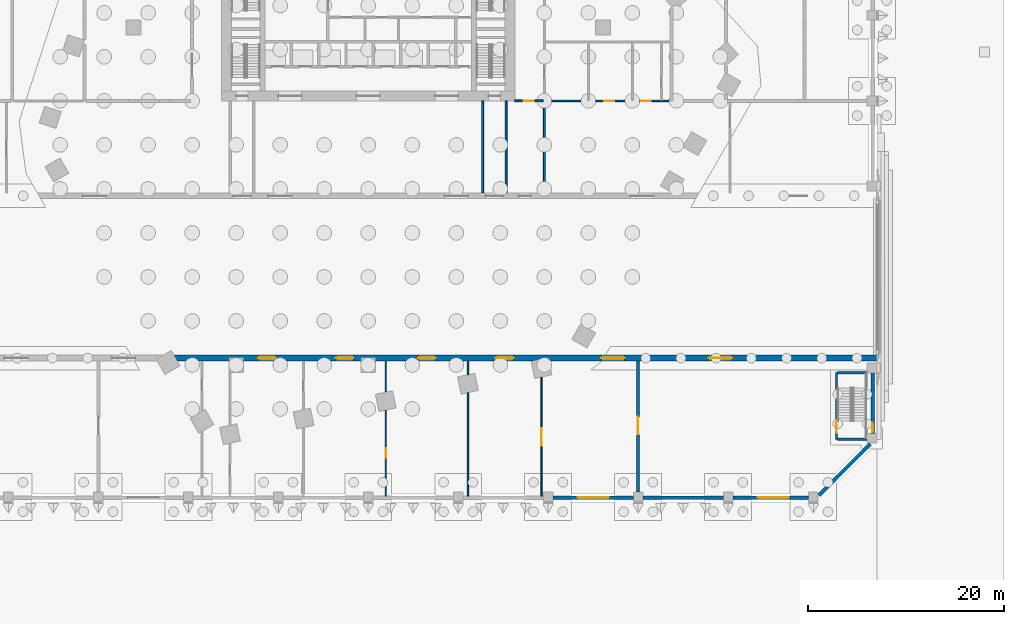
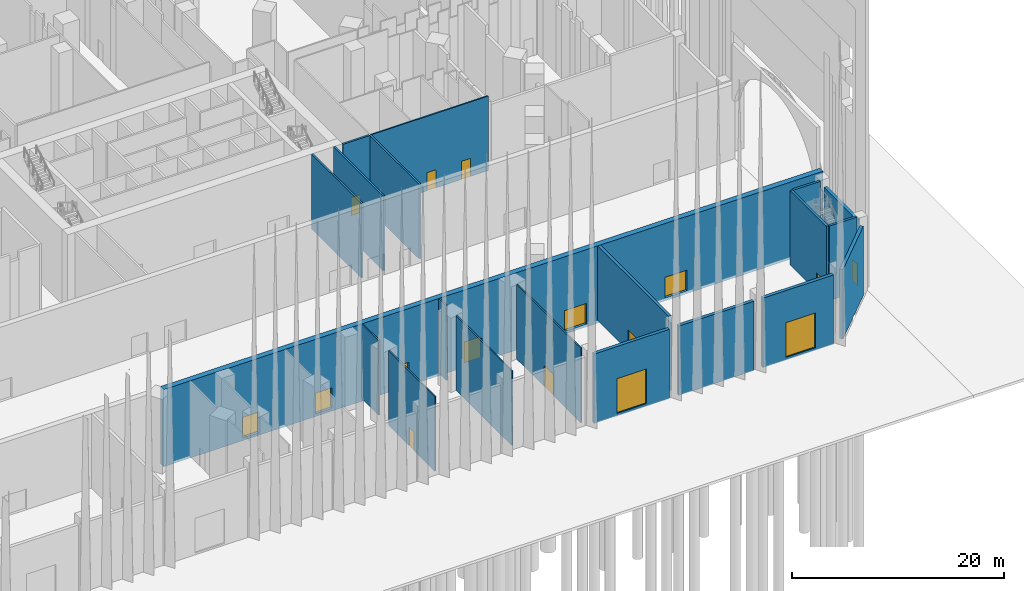
# One storey, part 11 of 32: 20 walls, 16 doors, 16 openings.
"""IFC4 building model written with IfcOpenShell, lengths in metres."""

from ifc_helpers import new_model, si_unit, direction, frame, frame_2d, origin, place, context, subcontext, project, spatial, rectangle, extrude, material, layer, layer_set, type_object, element, fill, save


model = new_model("IFC4")

# Units and contexts
model_context = context("Model", 3, precision=1e-05, world=origin(), true_north=direction((0.0, 1.0)))
body_context = subcontext(model_context, "Body", "Model", "MODEL_VIEW")
ifc_project = project(units=[si_unit("LENGTHUNIT", "METRE"), si_unit("AREAUNIT", "SQUARE_METRE"), si_unit("VOLUMEUNIT", "CUBIC_METRE"), si_unit("PLANEANGLEUNIT", "RADIAN"), si_unit("MASSUNIT", "GRAM", prefix="KILO")], contexts=[model_context])

# Site, building, storey
site_placement = place(None, origin())
site = spatial("IfcSite", under=ifc_project, at=site_placement, CompositionType="ELEMENT")
building_placement = place(site_placement, origin())
building = spatial("IfcBuilding", under=site, at=building_placement, Name="Isthmus Gate Tower", CompositionType="ELEMENT")
storey_placement = place(building_placement, origin())
storey = spatial("IfcBuildingStorey", under=building, at=storey_placement, Name="L00", CompositionType="ELEMENT", Elevation=0.0)

# Wall, opening, door
ifc_material_1 = material(Name="Double-leaf gypsum board with mineral wool, resilient mounted")
ifc_layer_1 = layer(ifc_material_1, 0.300048828125)
ifc_layer_set_1 = layer_set([ifc_layer_1], Name="Acoustic studio wall 300 double leaf")
wall_type_1 = type_object("IfcWallType", Name="Acoustic studio wall 300 double leaf", PredefinedType="PARTITIONING", material=ifc_layer_set_1)
wall_1_placement = place(storey_placement, frame((27.60009765625, -40.0, 0.0), z_axis=(0.0, 0.0, 1.0), x_axis=(0.0, 1.0, 0.0)))
wall_1 = element("IfcWall", 1, at=wall_1_placement, inside=storey, type_object=wall_type_1, Name="Acoustic studio wall", PredefinedType="PARTITIONING", context=body_context, shape_type="SweptSolid", body=[
    extrude(rectangle(XDim=13.39990234375, YDim=0.300048828125, at=frame_2d((6.699951171875, 0.0))), origin(), (0.0, 0.0, 1.0), 8.60009765625),
])
opening_1_placement = place(wall_1_placement, frame((5.89990234375, 0.0, 0.0)))
opening_1 = element("IfcOpeningElement", 2, at=opening_1_placement, cuts=wall_1, Name="Opening DP00-11", PredefinedType="OPENING", context=body_context, shape_type="SweptSolid", body=[
    extrude(rectangle(XDim=1.800048828125, YDim=2.39990234375, at=frame_2d((0.89990234375, 1.199951171875))), frame((0.0, 0.159912109375, 0.0), z_axis=(0.0, -1.0, 0.0), x_axis=(1.0, 0.0, 0.0)), (0.0, 0.0, 1.0), 0.320068359375),
])
ifc_material_2 = material(Name="Hollow metal frame with solid-core timber leaves", Category="wood")
door_type_1 = type_object("IfcDoorType", Name="Double swing door 1800 x 2400", OperationType="DOUBLE_DOOR_SINGLE_SWING", PredefinedType="DOOR", material=ifc_material_2)
door_1_placement = place(opening_1_placement, origin())
door_1 = element("IfcDoor", 3, at=door_1_placement, inside=storey, type_object=door_type_1, Name="Door DP00-11", OperationType="SINGLE_SWING_LEFT", OverallHeight=2.39990234375, OverallWidth=1.800048828125, PredefinedType="DOOR", context=body_context, shape_type="SweptSolid", body=[
    extrude(rectangle(XDim=1.800048828125, YDim=2.39990234375, at=frame_2d((0.89990234375, 1.199951171875))), frame((0.0, 0.02490234375, 0.0), z_axis=(0.0, -1.0, 0.0), x_axis=(1.0, 0.0, 0.0)), (0.0, 0.0, 1.0), 0.050048828125),
])
fill(opening_1, door_1)

ifc_material_3 = material(Name="Concrete f'c 30 MPa", Category="concrete")
ifc_layer_2 = layer(ifc_material_3, 0.199951171875)
ifc_layer_set_2 = layer_set([ifc_layer_2], Name="Fire-rated block wall 200")
wall_type_2 = type_object("IfcWallType", Name="Fire-rated block wall 200", PredefinedType="PARTITIONING", material=ifc_layer_set_2)
wall_2_placement = place(storey_placement, frame((15.0, 0.0, 0.0), z_axis=(0.0, 0.0, 1.0), x_axis=(1.0, 0.0, 0.0)))
wall_2 = element("IfcWall", 4, at=wall_2_placement, inside=storey, type_object=wall_type_2, Name="Fire-rated wall", PredefinedType="PARTITIONING", context=body_context, shape_type="SweptSolid", body=[
    extrude(rectangle(XDim=2.89990234375, YDim=0.199951171875, at=frame_2d((1.449951171875, 0.0))), origin(), (0.0, 0.0, 1.0), 8.60009765625),
])
opening_2_placement = place(wall_2_placement, frame((0.89990234375, 0.0, 0.0)))
opening_2 = element("IfcOpeningElement", 5, at=opening_2_placement, cuts=wall_2, Name="Opening DP00-12", PredefinedType="OPENING", context=body_context, shape_type="SweptSolid", body=[
    extrude(rectangle(XDim=1.0, YDim=2.10009765625, at=frame_2d((0.5, 1.050048828125))), frame((0.0, 0.10986328125, 0.0), z_axis=(0.0, -1.0, 0.0), x_axis=(1.0, 0.0, 0.0)), (0.0, 0.0, 1.0), 0.219970703125),
])
ifc_material_4 = material(Name="Steel fire door with intumescent seals", Category="steel")
door_type_2 = type_object("IfcDoorType", Name="Fire door 1000 x 2100", OperationType="SINGLE_SWING_LEFT", PredefinedType="DOOR", material=ifc_material_4)
door_2_placement = place(opening_2_placement, origin())
door_2 = element("IfcDoor", 6, at=door_2_placement, inside=storey, type_object=door_type_2, Name="Door DP00-12", OperationType="SINGLE_SWING_LEFT", OverallHeight=2.10009765625, OverallWidth=1.0, PredefinedType="DOOR", context=body_context, shape_type="SweptSolid", body=[
    extrude(rectangle(XDim=1.0, YDim=2.10009765625, at=frame_2d((0.5, 1.050048828125))), frame((0.0, 0.02490234375, 0.0), z_axis=(0.0, -1.0, 0.0), x_axis=(1.0, 0.0, 0.0)), (0.0, 0.0, 1.0), 0.050048828125),
])
fill(opening_2, door_2)

# Walls
for number, where, z_axis, x_axis, name in (
    (7, (11.699951171875, -9.39990234375, 0.0), (0.0, 0.0, 1.0), (0.0, 1.0, 0.0), "Fire-rated wall"),
    (8, (14.10009765625, -9.39990234375, 0.0), (0.0, 0.0, 1.0), (0.0, 1.0, 0.0), "Fire-rated wall"),
    (9, (18.0, -9.39990234375, 0.0), (0.0, 0.0, 1.0), (0.0, 1.0, 0.0), "Fire-rated wall"),
):
    element("IfcWall", number, at=place(storey_placement, frame(where, z_axis=z_axis, x_axis=x_axis)), inside=storey, type_object=wall_type_2, Name=name, PredefinedType="PARTITIONING", context=body_context, shape_type="SweptSolid", body=[
        extrude(rectangle(XDim=9.39990234375, YDim=0.199951171875, at=frame_2d((4.699951171875, 0.0))), origin(), (0.0, 0.0, 1.0), 8.60009765625),
    ])

# Wall, opening, door
ifc_material_5 = material(Name="Precast concrete C40/50, limestone-faced", Category="masonry")
ifc_layer_3 = layer(ifc_material_5, 0.35009765625)
ifc_layer_set_3 = layer_set([ifc_layer_3], Name="PODIUM CLADDING WALL 350")
wall_type_3 = type_object("IfcWallType", Name="PODIUM CLADDING WALL 350", PredefinedType="SOLIDWALL", material=ifc_layer_set_3)
wall_3_placement = place(storey_placement, frame((18.89990234375, -40.574951171875, -0.300048828125), z_axis=(0.0, 0.0, 1.0), x_axis=(1.0, 0.0, 0.0)))
wall_3 = element("IfcWall", 10, at=wall_3_placement, inside=storey, type_object=wall_type_3, Name="PODIUM WALL", PredefinedType="SOLIDWALL", context=body_context, shape_type="SweptSolid", body=[
    extrude(rectangle(XDim=8.2001953125, YDim=0.35009765625, at=frame_2d((4.10009765625, 0.0))), origin(), (0.0, 0.0, 1.0), 8.0),
])
opening_3_placement = place(wall_3_placement, frame((2.5, 0.0, 0.300048828125)))
opening_3 = element("IfcOpeningElement", 11, at=opening_3_placement, cuts=wall_3, Name="Opening DE00-04", PredefinedType="OPENING", context=body_context, shape_type="SweptSolid", body=[
    extrude(rectangle(XDim=3.199951171875, YDim=4.0, at=frame_2d((1.60009765625, 2.0))), frame((0.0, 0.18505859375, 0.0), z_axis=(0.0, -1.0, 0.0), x_axis=(1.0, 0.0, 0.0)), (0.0, 0.0, 1.0), 0.3701171875),
])
ifc_material_6 = material(Name="Aluminium and laminated glass", Category="aluminium")
door_type_3 = type_object("IfcDoorType", Name="ENTRANCE DOUBLE SWING DOOR 3200 X 4000", OperationType="DOUBLE_DOOR_SINGLE_SWING", PredefinedType="DOOR", material=ifc_material_6)
door_3_placement = place(opening_3_placement, origin())
door_3 = element("IfcDoor", 12, at=door_3_placement, inside=storey, type_object=door_type_3, Name="DOOR DE00-04", OperationType="DOUBLE_DOOR_SINGLE_SWING", OverallHeight=4.0, OverallWidth=3.199951171875, PredefinedType="DOOR", context=body_context, shape_type="SweptSolid", body=[
    extrude(rectangle(XDim=3.199951171875, YDim=4.0, at=frame_2d((1.60009765625, 2.0))), frame((0.0, 0.02490234375, 0.0), z_axis=(0.0, -1.0, 0.0), x_axis=(1.0, 0.0, 0.0)), (0.0, 0.0, 1.0), 0.050048828125),
])
fill(opening_3, door_3)

# Wall
wall_4_placement = place(storey_placement, frame((28.10009765625, -40.574951171875, -0.300048828125), z_axis=(0.0, 0.0, 1.0), x_axis=(1.0, 0.0, 0.0)))
element("IfcWall", 13, at=wall_4_placement, inside=storey, type_object=wall_type_3, Name="PODIUM WALL", PredefinedType="SOLIDWALL", context=body_context, shape_type="SweptSolid", body=[
    extrude(rectangle(XDim=8.199951171875, YDim=0.35009765625, at=frame_2d((4.10009765625, 0.0))), origin(), (0.0, 0.0, 1.0), 8.0),
])

# Wall, opening, door
wall_5_placement = place(storey_placement, frame((37.300048828125, -40.574951171875, -0.300048828125), z_axis=(0.0, 0.0, 1.0), x_axis=(1.0, 0.0, 0.0)))
wall_5 = element("IfcWall", 14, at=wall_5_placement, inside=storey, type_object=wall_type_3, Name="PODIUM WALL", PredefinedType="SOLIDWALL", context=body_context, shape_type="SweptSolid", body=[
    extrude(rectangle(XDim=7.699951171875, YDim=0.35009765625, at=frame_2d((3.85009765625, 0.0))), origin(), (0.0, 0.0, 1.0), 8.0),
])
opening_4_placement = place(wall_5_placement, frame((2.5, 0.0, 0.300048828125)))
opening_4 = element("IfcOpeningElement", 15, at=opening_4_placement, cuts=wall_5, Name="Opening DE00-02", PredefinedType="OPENING", context=body_context, shape_type="SweptSolid", body=[
    extrude(rectangle(XDim=3.199951171875, YDim=4.0, at=frame_2d((1.60009765625, 2.0))), frame((0.0, 0.18505859375, 0.0), z_axis=(0.0, -1.0, 0.0), x_axis=(1.0, 0.0, 0.0)), (0.0, 0.0, 1.0), 0.3701171875),
])
door_4_placement = place(opening_4_placement, origin())
door_4 = element("IfcDoor", 16, at=door_4_placement, inside=storey, type_object=door_type_3, Name="DOOR DE00-02", OperationType="DOUBLE_DOOR_SINGLE_SWING", OverallHeight=4.0, OverallWidth=3.199951171875, PredefinedType="DOOR", context=body_context, shape_type="SweptSolid", body=[
    extrude(rectangle(XDim=3.199951171875, YDim=4.0, at=frame_2d((1.60009765625, 2.0))), frame((0.0, 0.02490234375, 0.0), z_axis=(0.0, -1.0, 0.0), x_axis=(1.0, 0.0, 0.0)), (0.0, 0.0, 1.0), 0.050048828125),
])
fill(opening_4, door_4)

# Wall
wall_6_placement = place(storey_placement, frame((46.071533203125, -40.327392578125, -0.300048828125), z_axis=(0.0, 0.0, 1.0), x_axis=(0.707106781187, 0.707106781187, 0.0)))
element("IfcWall", 17, at=wall_6_placement, inside=storey, type_object=wall_type_3, Name="PODIUM WALL", PredefinedType="SOLIDWALL", context=body_context, shape_type="SweptSolid", body=[
    extrude(rectangle(XDim=7.432861328125, YDim=0.35009765625, at=frame_2d((3.71630859375, 0.0))), origin(), (0.0, 0.0, 1.0), 8.0),
])

# Wall, opening, door
wall_7_placement = place(storey_placement, frame((51.574951171875, -34.0, -0.300048828125), z_axis=(0.0, 0.0, 1.0), x_axis=(0.0, 1.0, 0.0)))
wall_7 = element("IfcWall", 18, at=wall_7_placement, inside=storey, type_object=wall_type_3, Name="PODIUM WALL", PredefinedType="SOLIDWALL", context=body_context, shape_type="SweptSolid", body=[
    extrude(rectangle(XDim=6.199951171875, YDim=0.35009765625, at=frame_2d((3.10009765625, 0.0))), origin(), (0.0, 0.0, 1.0), 8.0),
])
opening_5_placement = place(wall_7_placement, frame((0.10009765625, 0.0, 0.300048828125)))
opening_5 = element("IfcOpeningElement", 19, at=opening_5_placement, cuts=wall_7, Name="Opening DE00-12", PredefinedType="OPENING", context=body_context, shape_type="SweptSolid", body=[
    extrude(rectangle(XDim=1.0, YDim=2.39990234375, at=frame_2d((0.5, 1.199951171875))), frame((0.0, 0.18505859375, 0.0), z_axis=(0.0, -1.0, 0.0), x_axis=(1.0, 0.0, 0.0)), (0.0, 0.0, 1.0), 0.3701171875),
])
ifc_material_7 = material(Name="Galvanised steel, powder-coated", Category="steel")
door_type_4 = type_object("IfcDoorType", Name="STAIR EXIT FIRE DOOR 1000 X 2400", OperationType="SINGLE_SWING_LEFT", PredefinedType="DOOR", material=ifc_material_7)
door_5_placement = place(opening_5_placement, frame((1.0, 0.0, 0.0), z_axis=(0.0, 0.0, 1.0), x_axis=(-1.0, 0.0, 0.0)))
door_5 = element("IfcDoor", 20, at=door_5_placement, inside=storey, type_object=door_type_4, Name="DOOR DE00-12", OperationType="SINGLE_SWING_LEFT", OverallHeight=2.39990234375, OverallWidth=1.0, PredefinedType="DOOR", context=body_context, shape_type="SweptSolid", body=[
    extrude(rectangle(XDim=1.0, YDim=2.39990234375, at=frame_2d((0.5, 1.199951171875))), frame((0.0, 0.02490234375, 0.0), z_axis=(0.0, -1.0, 0.0), x_axis=(1.0, 0.0, 0.0)), (0.0, 0.0, 1.0), 0.050048828125),
])
fill(opening_5, door_5)

# Wall, openings, doors
ifc_material_8 = material(Name="Gypsum board on cold-formed steel studs", Category="steel")
ifc_layer_4 = layer(ifc_material_8, 0.14990234375)
ifc_layer_set_4 = layer_set([ifc_layer_4])
wall_type_4 = type_object("IfcWallType", Name="Partition 150 gypsum board on steel studs", PredefinedType="PARTITIONING", material=ifc_layer_set_4)
wall_8_placement = place(storey_placement, frame((18.10009765625, 0.0, 0.0), z_axis=(0.0, 0.0, 1.0), x_axis=(1.0, 0.0, 0.0)))
wall_8 = element("IfcWall", 21, at=wall_8_placement, inside=storey, type_object=wall_type_4, Name="Partition", PredefinedType="PARTITIONING", context=body_context, shape_type="SweptSolid", body=[
    extrude(rectangle(XDim=12.75, YDim=0.14990234375, at=frame_2d((6.375, 0.0))), origin(), (0.0, 0.0, 1.0), 8.60009765625),
])
opening_6_placement = place(wall_8_placement, frame((6.050048828125, 0.0, 0.0)))
opening_6 = element("IfcOpeningElement", 22, at=opening_6_placement, cuts=wall_8, Name="Opening DP00-23", PredefinedType="OPENING", context=body_context, shape_type="SweptSolid", body=[
    extrude(rectangle(XDim=1.0, YDim=2.10009765625, at=frame_2d((0.5, 1.050048828125))), frame((0.0, 0.0849609375, 0.0), z_axis=(0.0, -1.0, 0.0), x_axis=(1.0, 0.0, 0.0)), (0.0, 0.0, 1.0), 0.169921875),
])
opening_7_placement = place(wall_8_placement, frame((9.800048828125, 0.0, 0.0)))
opening_7 = element("IfcOpeningElement", 23, at=opening_7_placement, cuts=wall_8, Name="Opening DP00-24", PredefinedType="OPENING", context=body_context, shape_type="SweptSolid", body=[
    extrude(rectangle(XDim=1.0, YDim=2.10009765625, at=frame_2d((0.5, 1.050048828125))), frame((0.0, 0.0849609375, 0.0), z_axis=(0.0, -1.0, 0.0), x_axis=(1.0, 0.0, 0.0)), (0.0, 0.0, 1.0), 0.169921875),
])
ifc_material_9 = material(Name="Hollow metal frame with solid-core timber leaf", Category="wood")
door_type_5 = type_object("IfcDoorType", Name="Single swing door 1000 x 2100", OperationType="SINGLE_SWING_LEFT", PredefinedType="DOOR", material=ifc_material_9)
door_6_placement = place(opening_6_placement, origin())
door_6 = element("IfcDoor", 24, at=door_6_placement, inside=storey, type_object=door_type_5, Name="Door DP00-23", OperationType="SINGLE_SWING_LEFT", OverallHeight=2.10009765625, OverallWidth=1.0, PredefinedType="DOOR", context=body_context, shape_type="SweptSolid", body=[
    extrude(rectangle(XDim=1.0, YDim=2.10009765625, at=frame_2d((0.5, 1.050048828125))), frame((0.0, 0.02490234375, 0.0), z_axis=(0.0, -1.0, 0.0), x_axis=(1.0, 0.0, 0.0)), (0.0, 0.0, 1.0), 0.050048828125),
])
fill(opening_6, door_6)
door_7_placement = place(opening_7_placement, origin())
door_7 = element("IfcDoor", 25, at=door_7_placement, inside=storey, type_object=door_type_5, Name="Door DP00-24", OperationType="SINGLE_SWING_LEFT", OverallHeight=2.10009765625, OverallWidth=1.0, PredefinedType="DOOR", context=body_context, shape_type="SweptSolid", body=[
    extrude(rectangle(XDim=1.0, YDim=2.10009765625, at=frame_2d((0.5, 1.050048828125))), frame((0.0, 0.02490234375, 0.0), z_axis=(0.0, -1.0, 0.0), x_axis=(1.0, 0.0, 0.0)), (0.0, 0.0, 1.0), 0.050048828125),
])
fill(opening_7, door_7)

# Wall, opening, door
wall_9_placement = place(storey_placement, frame((1.791015625, -40.39990234375, 0.0), z_axis=(0.0, 0.0, 1.0), x_axis=(0.0, 1.0, 0.0)))
wall_9 = element("IfcWall", 26, at=wall_9_placement, inside=storey, type_object=wall_type_4, Name="Partition", PredefinedType="PARTITIONING", context=body_context, shape_type="SweptSolid", body=[
    extrude(rectangle(XDim=8.7646484375, YDim=0.14990234375, at=frame_2d((4.38232421875, 0.0))), origin(), (0.0, 0.0, 1.0), 8.60009765625),
])
opening_8_placement = place(wall_9_placement, frame((3.89990234375, 0.0, 0.0)))
opening_8 = element("IfcOpeningElement", 27, at=opening_8_placement, cuts=wall_9, Name="Opening DP00-40", PredefinedType="OPENING", context=body_context, shape_type="SweptSolid", body=[
    extrude(rectangle(XDim=1.0, YDim=2.10009765625, at=frame_2d((0.5, 1.050048828125))), frame((0.0, 0.0849609375, 0.0), z_axis=(0.0, -1.0, 0.0), x_axis=(1.0, 0.0, 0.0)), (0.0, 0.0, 1.0), 0.169921875),
])
door_8_placement = place(opening_8_placement, origin())
door_8 = element("IfcDoor", 28, at=door_8_placement, inside=storey, type_object=door_type_5, Name="Door DP00-40", OperationType="SINGLE_SWING_LEFT", OverallHeight=2.10009765625, OverallWidth=1.0, PredefinedType="DOOR", context=body_context, shape_type="SweptSolid", body=[
    extrude(rectangle(XDim=1.0, YDim=2.10009765625, at=frame_2d((0.5, 1.050048828125))), frame((0.0, 0.02490234375, 0.0), z_axis=(0.0, -1.0, 0.0), x_axis=(1.0, 0.0, 0.0)), (0.0, 0.0, 1.0), 0.050048828125),
])
fill(opening_8, door_8)

# Walls
wall_10_placement = place(storey_placement, frame((1.791015625, -29.76318359375, 0.0), z_axis=(0.0, 0.0, 1.0), x_axis=(0.0, 1.0, 0.0)))
element("IfcWall", 29, at=wall_10_placement, inside=storey, type_object=wall_type_4, Name="Partition", PredefinedType="PARTITIONING", context=body_context, shape_type="SweptSolid", body=[
    extrude(rectangle(XDim=3.1630859375, YDim=0.14990234375, at=frame_2d((1.58154296875, 0.0))), origin(), (0.0, 0.0, 1.0), 8.60009765625),
])
wall_11_placement = place(storey_placement, frame((10.19189453125, -40.39990234375, 0.0), z_axis=(0.0, 0.0, 1.0), x_axis=(0.0, 1.0, 0.0)))
element("IfcWall", 30, at=wall_11_placement, inside=storey, type_object=wall_type_4, Name="Partition", PredefinedType="PARTITIONING", context=body_context, shape_type="SweptSolid", body=[
    extrude(rectangle(XDim=10.55029296875, YDim=0.14990234375, at=frame_2d((5.275146484375, 0.0))), origin(), (0.0, 0.0, 1.0), 8.60009765625),
])
wall_12_placement = place(storey_placement, frame((10.19189453125, -27.9775390625, 0.0), z_axis=(0.0, 0.0, 1.0), x_axis=(0.0, 1.0, 0.0)))
element("IfcWall", 31, at=wall_12_placement, inside=storey, type_object=wall_type_4, Name="Partition", PredefinedType="PARTITIONING", context=body_context, shape_type="SweptSolid", body=[
    extrude(rectangle(XDim=1.37744140625, YDim=0.14990234375, at=frame_2d((0.688720703125, 0.0))), origin(), (0.0, 0.0, 1.0), 8.60009765625),
])

# Wall, opening, door
wall_13_placement = place(storey_placement, frame((17.714111328125, -40.39990234375, 0.0), z_axis=(0.0, 0.0, 1.0), x_axis=(0.0, 1.0, 0.0)))
wall_13 = element("IfcWall", 32, at=wall_13_placement, inside=storey, type_object=wall_type_4, Name="Partition", PredefinedType="PARTITIONING", context=body_context, shape_type="SweptSolid", body=[
    extrude(rectangle(XDim=12.149169921875, YDim=0.14990234375, at=frame_2d((6.07470703125, 0.0))), origin(), (0.0, 0.0, 1.0), 8.60009765625),
])
opening_9_placement = place(wall_13_placement, frame((5.14990234375, 0.0, 0.0)))
opening_9 = element("IfcOpeningElement", 33, at=opening_9_placement, cuts=wall_13, Name="Opening DP00-14", PredefinedType="OPENING", context=body_context, shape_type="SweptSolid", body=[
    extrude(rectangle(XDim=1.800048828125, YDim=2.39990234375, at=frame_2d((0.89990234375, 1.199951171875))), frame((0.0, 0.0849609375, 0.0), z_axis=(0.0, -1.0, 0.0), x_axis=(1.0, 0.0, 0.0)), (0.0, 0.0, 1.0), 0.169921875),
])
ifc_material_10 = material(Name="Hollow metal frame with solid-core timber leaf", Category="wood")
door_type_6 = type_object("IfcDoorType", Name="Single swing door 1800 x 2400", OperationType="SINGLE_SWING_LEFT", PredefinedType="DOOR", material=ifc_material_10)
door_9_placement = place(opening_9_placement, origin())
door_9 = element("IfcDoor", 34, at=door_9_placement, inside=storey, type_object=door_type_6, Name="Door DP00-14", OperationType="SINGLE_SWING_LEFT", OverallHeight=2.39990234375, OverallWidth=1.800048828125, PredefinedType="DOOR", context=body_context, shape_type="SweptSolid", body=[
    extrude(rectangle(XDim=1.800048828125, YDim=2.39990234375, at=frame_2d((0.89990234375, 1.199951171875))), frame((0.0, 0.02490234375, 0.0), z_axis=(0.0, -1.0, 0.0), x_axis=(1.0, 0.0, 0.0)), (0.0, 0.0, 1.0), 0.050048828125),
])
fill(opening_9, door_9)

# Wall, openings, doors
ifc_material_11 = material(Name="Concrete f'c 70 MPa", Category="concrete")
ifc_layer_5 = layer(ifc_material_11, 0.60009765625)
ifc_layer_set_5 = layer_set([ifc_layer_5], Name="RC PASSAGE WALL 600 F'C 70")
wall_type_5 = type_object("IfcWallType", Name="RC PASSAGE WALL 600 F'C 70", PredefinedType="SOLIDWALL", material=ifc_layer_set_5)
wall_14_placement = place(storey_placement, frame((-19.86083984375, -26.300048828125, -0.300048828125), z_axis=(0.0, 0.0, 1.0), x_axis=(1.0, 0.0, 0.0)))
wall_14 = element("IfcWall", 35, at=wall_14_placement, inside=storey, type_object=wall_type_5, Name="str-passwall-S-L00-2", PredefinedType="SOLIDWALL", context=body_context, shape_type="SweptSolid", body=[
    extrude(rectangle(XDim=71.86083984375, YDim=0.60009765625, at=frame_2d((35.930419921875, 0.0))), origin(), (0.0, 0.0, 1.0), 8.900146484375),
])
opening_10_placement = place(wall_14_placement, frame((54.660888671875, 0.0, 0.300048828125)))
opening_10 = element("IfcOpeningElement", 36, at=opening_10_placement, cuts=wall_14, Name="Opening DP00-43", PredefinedType="OPENING", context=body_context, shape_type="SweptSolid", body=[
    extrude(rectangle(XDim=2.39990234375, YDim=2.39990234375, at=frame_2d((1.199951171875, 1.199951171875))), frame((0.0, 0.31005859375, 0.0), z_axis=(0.0, -1.0, 0.0), x_axis=(1.0, 0.0, 0.0)), (0.0, 0.0, 1.0), 0.6201171875),
])
opening_11_placement = place(wall_14_placement, frame((8.58935546875, 0.0, 0.300048828125)))
opening_11 = element("IfcOpeningElement", 37, at=opening_11_placement, cuts=wall_14, Name="Opening DP00-44", PredefinedType="OPENING", context=body_context, shape_type="SweptSolid", body=[
    extrude(rectangle(XDim=1.800048828125, YDim=2.39990234375, at=frame_2d((0.89990234375, 1.199951171875))), frame((0.0, 0.31005859375, 0.0), z_axis=(0.0, -1.0, 0.0), x_axis=(1.0, 0.0, 0.0)), (0.0, 0.0, 1.0), 0.6201171875),
])
opening_12_placement = place(wall_14_placement, frame((16.55078125, 0.0, 0.300048828125)))
opening_12 = element("IfcOpeningElement", 38, at=opening_12_placement, cuts=wall_14, Name="Opening DP00-45", PredefinedType="OPENING", context=body_context, shape_type="SweptSolid", body=[
    extrude(rectangle(XDim=1.800048828125, YDim=2.39990234375, at=frame_2d((0.89990234375, 1.199951171875))), frame((0.0, 0.31005859375, 0.0), z_axis=(0.0, -1.0, 0.0), x_axis=(1.0, 0.0, 0.0)), (0.0, 0.0, 1.0), 0.6201171875),
])
opening_13_placement = place(wall_14_placement, frame((24.952392578125, 0.0, 0.300048828125)))
opening_13 = element("IfcOpeningElement", 39, at=opening_13_placement, cuts=wall_14, Name="Opening DP00-46", PredefinedType="OPENING", context=body_context, shape_type="SweptSolid", body=[
    extrude(rectangle(XDim=1.800048828125, YDim=2.39990234375, at=frame_2d((0.89990234375, 1.199951171875))), frame((0.0, 0.31005859375, 0.0), z_axis=(0.0, -1.0, 0.0), x_axis=(1.0, 0.0, 0.0)), (0.0, 0.0, 1.0), 0.6201171875),
])
opening_14_placement = place(wall_14_placement, frame((32.913818359375, 0.0, 0.300048828125)))
opening_14 = element("IfcOpeningElement", 40, at=opening_14_placement, cuts=wall_14, Name="Opening DP00-47", PredefinedType="OPENING", context=body_context, shape_type="SweptSolid", body=[
    extrude(rectangle(XDim=1.800048828125, YDim=2.39990234375, at=frame_2d((0.89990234375, 1.199951171875))), frame((0.0, 0.31005859375, 0.0), z_axis=(0.0, -1.0, 0.0), x_axis=(1.0, 0.0, 0.0)), (0.0, 0.0, 1.0), 0.6201171875),
])
opening_15_placement = place(wall_14_placement, frame((43.660888671875, 0.0, 0.300048828125)))
opening_15 = element("IfcOpeningElement", 41, at=opening_15_placement, cuts=wall_14, Name="Opening DP00-49", PredefinedType="OPENING", context=body_context, shape_type="SweptSolid", body=[
    extrude(rectangle(XDim=2.39990234375, YDim=2.39990234375, at=frame_2d((1.199951171875, 1.199951171875))), frame((0.0, 0.31005859375, 0.0), z_axis=(0.0, -1.0, 0.0), x_axis=(1.0, 0.0, 0.0)), (0.0, 0.0, 1.0), 0.6201171875),
])
ifc_material_12 = material(Name="Hollow metal frame with solid-core timber leaves", Category="wood")
door_type_7 = type_object("IfcDoorType", Name="Double swing door 2400 x 2400", OperationType="DOUBLE_DOOR_SINGLE_SWING", PredefinedType="DOOR", material=ifc_material_12)
door_10_placement = place(opening_10_placement, origin())
door_10 = element("IfcDoor", 42, at=door_10_placement, inside=storey, type_object=door_type_7, Name="Door DP00-43", OperationType="SINGLE_SWING_LEFT", OverallHeight=2.39990234375, OverallWidth=2.39990234375, PredefinedType="DOOR", context=body_context, shape_type="SweptSolid", body=[
    extrude(rectangle(XDim=2.39990234375, YDim=2.39990234375, at=frame_2d((1.199951171875, 1.199951171875))), frame((0.0, 0.02490234375, 0.0), z_axis=(0.0, -1.0, 0.0), x_axis=(1.0, 0.0, 0.0)), (0.0, 0.0, 1.0), 0.050048828125),
])
fill(opening_10, door_10)
ifc_material_13 = material(Name="Toughened glass leaf in aluminium frame", Category="aluminium")
door_type_8 = type_object("IfcDoorType", Name="Glazed swing door 1800 x 2400", OperationType="SINGLE_SWING_LEFT", PredefinedType="DOOR", material=ifc_material_13)
door_11_placement = place(opening_11_placement, origin())
door_11 = element("IfcDoor", 43, at=door_11_placement, inside=storey, type_object=door_type_8, Name="Door DP00-44", OperationType="SINGLE_SWING_LEFT", OverallHeight=2.39990234375, OverallWidth=1.800048828125, PredefinedType="DOOR", context=body_context, shape_type="SweptSolid", body=[
    extrude(rectangle(XDim=1.800048828125, YDim=2.39990234375, at=frame_2d((0.89990234375, 1.199951171875))), frame((0.0, 0.02490234375, 0.0), z_axis=(0.0, -1.0, 0.0), x_axis=(1.0, 0.0, 0.0)), (0.0, 0.0, 1.0), 0.050048828125),
])
fill(opening_11, door_11)
door_12_placement = place(opening_12_placement, origin())
door_12 = element("IfcDoor", 44, at=door_12_placement, inside=storey, type_object=door_type_8, Name="Door DP00-45", OperationType="SINGLE_SWING_LEFT", OverallHeight=2.39990234375, OverallWidth=1.800048828125, PredefinedType="DOOR", context=body_context, shape_type="SweptSolid", body=[
    extrude(rectangle(XDim=1.800048828125, YDim=2.39990234375, at=frame_2d((0.89990234375, 1.199951171875))), frame((0.0, 0.02490234375, 0.0), z_axis=(0.0, -1.0, 0.0), x_axis=(1.0, 0.0, 0.0)), (0.0, 0.0, 1.0), 0.050048828125),
])
fill(opening_12, door_12)
door_13_placement = place(opening_13_placement, origin())
door_13 = element("IfcDoor", 45, at=door_13_placement, inside=storey, type_object=door_type_8, Name="Door DP00-46", OperationType="SINGLE_SWING_LEFT", OverallHeight=2.39990234375, OverallWidth=1.800048828125, PredefinedType="DOOR", context=body_context, shape_type="SweptSolid", body=[
    extrude(rectangle(XDim=1.800048828125, YDim=2.39990234375, at=frame_2d((0.89990234375, 1.199951171875))), frame((0.0, 0.02490234375, 0.0), z_axis=(0.0, -1.0, 0.0), x_axis=(1.0, 0.0, 0.0)), (0.0, 0.0, 1.0), 0.050048828125),
])
fill(opening_13, door_13)
door_14_placement = place(opening_14_placement, origin())
door_14 = element("IfcDoor", 46, at=door_14_placement, inside=storey, type_object=door_type_8, Name="Door DP00-47", OperationType="SINGLE_SWING_LEFT", OverallHeight=2.39990234375, OverallWidth=1.800048828125, PredefinedType="DOOR", context=body_context, shape_type="SweptSolid", body=[
    extrude(rectangle(XDim=1.800048828125, YDim=2.39990234375, at=frame_2d((0.89990234375, 1.199951171875))), frame((0.0, 0.02490234375, 0.0), z_axis=(0.0, -1.0, 0.0), x_axis=(1.0, 0.0, 0.0)), (0.0, 0.0, 1.0), 0.050048828125),
])
fill(opening_14, door_14)
ifc_material_14 = material(Name="Toughened glass leaf in aluminium frame", Category="aluminium")
door_type_9 = type_object("IfcDoorType", Name="Glazed swing door 2400 x 2400", OperationType="SINGLE_SWING_LEFT", PredefinedType="DOOR", material=ifc_material_14)
door_15_placement = place(opening_15_placement, origin())
door_15 = element("IfcDoor", 47, at=door_15_placement, inside=storey, type_object=door_type_9, Name="Door DP00-49", OperationType="SINGLE_SWING_LEFT", OverallHeight=2.39990234375, OverallWidth=2.39990234375, PredefinedType="DOOR", context=body_context, shape_type="SweptSolid", body=[
    extrude(rectangle(XDim=2.39990234375, YDim=2.39990234375, at=frame_2d((1.199951171875, 1.199951171875))), frame((0.0, 0.02490234375, 0.0), z_axis=(0.0, -1.0, 0.0), x_axis=(1.0, 0.0, 0.0)), (0.0, 0.0, 1.0), 0.050048828125),
])
fill(opening_15, door_15)

# Walls
ifc_material_15 = material(Name="Concrete f'c 40 MPa", Category="concrete")
ifc_layer_6 = layer(ifc_material_15, 0.25)
ifc_layer_set_6 = layer_set([ifc_layer_6])
wall_type_6 = type_object("IfcWallType", Name="Stair shaft wall 250 reinforced concrete", PredefinedType="SHEAR", material=ifc_layer_set_6)
for number, where, z_axis, x_axis, name in (
    (48, (48.0, -34.60009765625, 0.0), (0.0, 0.0, 1.0), (1.0, 0.0, 0.0), "Stair shaft wall"),
    (49, (48.0, -27.779052734375, 0.0), (0.0, 0.0, 1.0), (1.0, 0.0, 0.0), "Stair shaft wall"),
):
    element("IfcWall", number, at=place(storey_placement, frame(where, z_axis=z_axis, x_axis=x_axis)), inside=storey, type_object=wall_type_6, Name=name, PredefinedType="SHEAR", context=body_context, shape_type="SweptSolid", body=[
        extrude(rectangle(XDim=3.0, YDim=0.25, at=frame_2d((1.5, 0.0))), origin(), (0.0, 0.0, 1.0), 8.60009765625),
    ])

# Wall, opening, door
wall_15_placement = place(storey_placement, frame((47.875, -34.60009765625, 0.0), z_axis=(0.0, 0.0, 1.0), x_axis=(0.0, 1.0, 0.0)))
wall_15 = element("IfcWall", 50, at=wall_15_placement, inside=storey, type_object=wall_type_6, Name="Stair shaft wall", PredefinedType="SHEAR", context=body_context, shape_type="SweptSolid", body=[
    extrude(rectangle(XDim=6.821044921875, YDim=0.25, at=frame_2d((3.41064453125, 0.0))), origin(), (0.0, 0.0, 1.0), 8.60009765625),
])
opening_16_placement = place(wall_15_placement, frame((0.64990234375, 0.0, 0.0)))
opening_16 = element("IfcOpeningElement", 51, at=opening_16_placement, cuts=wall_15, Name="Opening DP00-09", PredefinedType="OPENING", context=body_context, shape_type="SweptSolid", body=[
    extrude(rectangle(XDim=1.199951171875, YDim=2.10009765625, at=frame_2d((0.60009765625, 1.050048828125))), frame((0.0, 0.135009765625, 0.0), z_axis=(0.0, -1.0, 0.0), x_axis=(1.0, 0.0, 0.0)), (0.0, 0.0, 1.0), 0.27001953125),
])
ifc_material_16 = material(Name="Steel fire door with intumescent seals", Category="steel")
door_type_10 = type_object("IfcDoorType", Name="Fire door 1200 x 2100", OperationType="SINGLE_SWING_LEFT", PredefinedType="DOOR", material=ifc_material_16)
door_16_placement = place(opening_16_placement, origin())
door_16 = element("IfcDoor", 52, at=door_16_placement, inside=storey, type_object=door_type_10, Name="Door DP00-09", OperationType="SINGLE_SWING_LEFT", OverallHeight=2.10009765625, OverallWidth=1.199951171875, PredefinedType="DOOR", context=body_context, shape_type="SweptSolid", body=[
    extrude(rectangle(XDim=1.199951171875, YDim=2.10009765625, at=frame_2d((0.60009765625, 1.050048828125))), frame((0.0, 0.02490234375, 0.0), z_axis=(0.0, -1.0, 0.0), x_axis=(1.0, 0.0, 0.0)), (0.0, 0.0, 1.0), 0.050048828125),
])
fill(opening_16, door_16)

save(model, "model.ifc")
